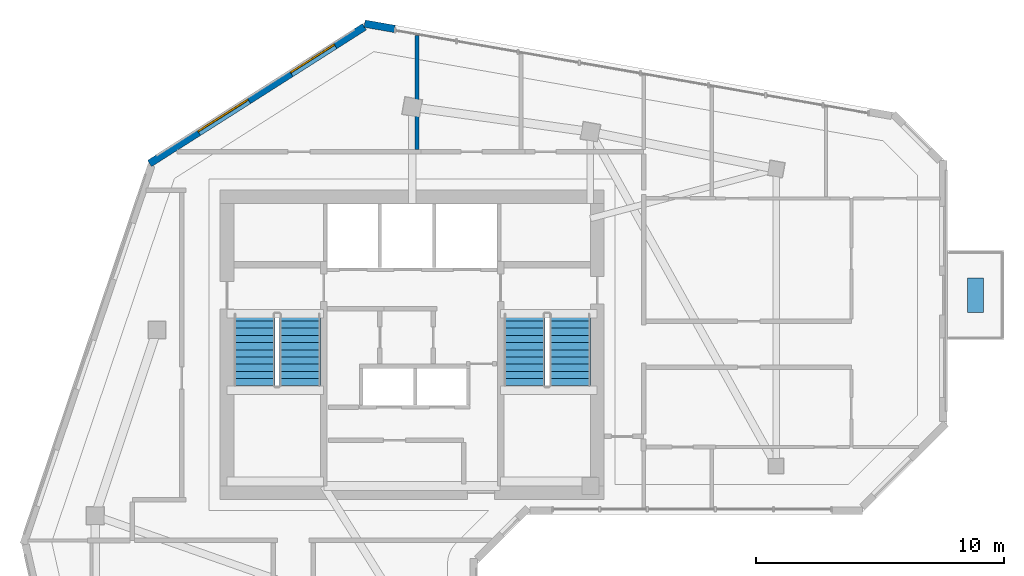
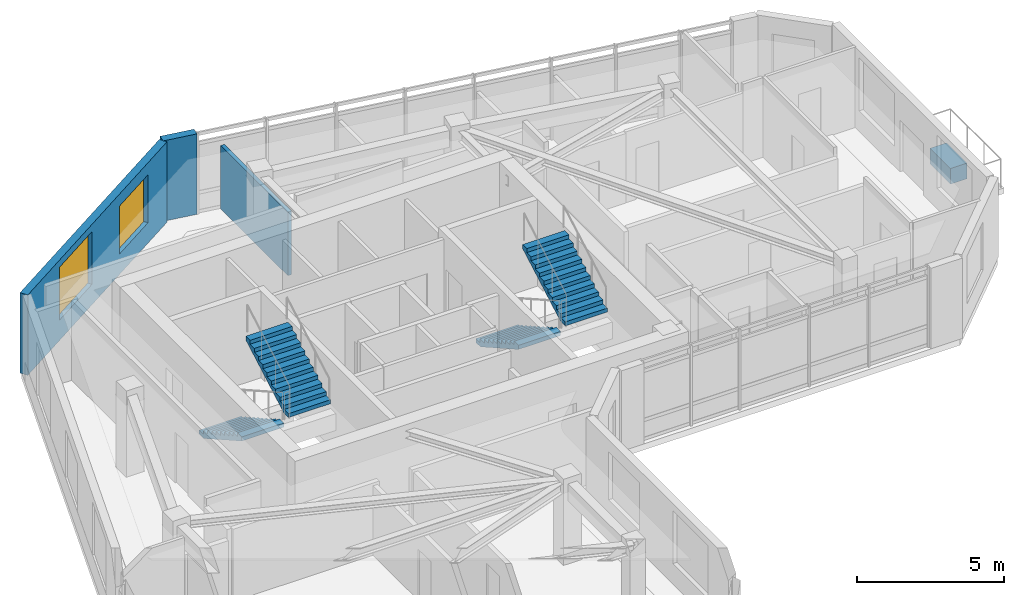
# One storey, part 7 of 10: 4 stair flights, 3 walls, 2 windows, 1 discrete accessory, 2 openings, 2 elements without a shape of their own.
"""IFC4 building model written with IfcOpenShell, lengths in metres."""

from ifc_helpers import new_model, si_unit, direction, frame, frame_2d, origin, origin_2d, place, context, subcontext, project, spatial, polyline, rectangle, outline, extrude, source, transform, mapped, material, layer, layer_set, type_object, element, fill, aggregate, save


model = new_model("IFC4")

# Units and contexts
model_context = context("Model", 3, precision=1e-05, world=origin(), true_north=direction((0.0, 1.0)))
body_context = subcontext(model_context, "Body", "Model", "MODEL_VIEW")
ifc_project = project(units=[si_unit("LENGTHUNIT", "METRE"), si_unit("AREAUNIT", "SQUARE_METRE"), si_unit("VOLUMEUNIT", "CUBIC_METRE"), si_unit("PLANEANGLEUNIT", "RADIAN"), si_unit("MASSUNIT", "GRAM", prefix="KILO")], contexts=[model_context])

# Site, building, storey
site_placement = place(None, origin())
site = spatial("IfcSite", under=ifc_project, at=site_placement, CompositionType="ELEMENT")
building_placement = place(site_placement, origin())
building = spatial("IfcBuilding", under=site, at=building_placement, Name="Calvemar Wedge Station Tower", CompositionType="ELEMENT")
storey_placement = place(building_placement, frame((0.0, 0.0, 267.300048828125)))
storey = spatial("IfcBuildingStorey", under=building, at=storey_placement, Name="L68", CompositionType="ELEMENT", Elevation=267.300048828125)

# Wall
ifc_material_1 = material(Name="Precast concrete C45", Category="concrete")
ifc_layer_1 = layer(ifc_material_1, 0.300048828125)
ifc_layer_set_1 = layer_set([ifc_layer_1], Name="Precast concrete C45")
wall_type_1 = type_object("IfcWallType", Name="W-EXT-GFRC-300", PredefinedType="SOLIDWALL", material=ifc_layer_set_1)
wall_1_placement = place(storey_placement, frame((23.09521484375, 52.656005859375, 0.0), z_axis=(0.0, 0.0, 1.0), x_axis=(-0.985008549623, 0.172505527937, 0.0)))
element("IfcWall", 1, at=wall_1_placement, inside=storey, type_object=wall_type_1, Name="Storey L68 Bronze GFRC Corner Pier 10B", PredefinedType="SOLIDWALL", context=body_context, shape_type="SweptSolid", body=[
    extrude(rectangle(XDim=1.22998046875, YDim=0.300048828125, at=frame_2d((0.614990234375, 0.0))), origin(), (0.0, 0.0, 1.0), 3.349853515625),
])

# Wall, openings, windows
wall_2_placement = place(storey_placement, frame((21.873779296875, 52.741943359375, 0.0), z_axis=(0.0, 0.0, 1.0), x_axis=(-0.84365659959, -0.536883173482, 0.0)))
wall_2 = element("IfcWall", 2, at=wall_2_placement, inside=storey, type_object=wall_type_1, Name="Storey L68 Bronze GFRC Exterior Wall 11", PredefinedType="SOLIDWALL", context=body_context, shape_type="SweptSolid", body=[
    extrude(rectangle(XDim=10.282958984375, YDim=0.300048828125, at=frame_2d((5.1416015625, 0.0))), origin(), (0.0, 0.0, 1.0), 3.349853515625),
])
shared_shape_1 = source(origin(), body_context, "Body", "SweptSolid", [
    extrude(rectangle(XDim=2.10009765625, YDim=2.0, at=frame_2d((1.050048828125, 1.0))), frame((0.0, 0.16015625, 0.0), z_axis=(0.0, -1.0, 0.0), x_axis=(1.0, 0.0, 0.0)), (0.0, 0.0, 1.0), 0.320068359375),
])
opening_1_placement = place(wall_2_placement, frame((1.409912109375, 0.0, 0.85009765625)))
opening_1 = element("IfcOpeningElement", 3, at=opening_1_placement, cuts=wall_2, Name="Opening W4", PredefinedType="OPENING", context=body_context, shape_type="MappedRepresentation", body=[
    mapped(shared_shape_1, transform((0.0, 0.0, 0.0), scale=1.0)),
])
shared_shape_2 = source(origin(), body_context, "Body", "SweptSolid", [
    extrude(rectangle(XDim=2.39990234375, YDim=2.199951171875, at=frame_2d((1.199951171875, 1.10009765625))), frame((0.0, 0.16015625, 0.0), z_axis=(0.0, -1.0, 0.0), x_axis=(1.0, 0.0, 0.0)), (0.0, 0.0, 1.0), 0.320068359375),
])
opening_2_placement = place(wall_2_placement, frame((5.5400390625, 0.0, 0.85009765625)))
opening_2 = element("IfcOpeningElement", 4, at=opening_2_placement, cuts=wall_2, Name="Opening W1", PredefinedType="OPENING", context=body_context, shape_type="MappedRepresentation", body=[
    mapped(shared_shape_2, transform((0.0, 0.0, 0.0), scale=1.0)),
])
ifc_material_2 = material(Name="Low-E laminated insulated glass", Category="glass")
window_type_1 = type_object("IfcWindowType", Name="WIN-EXT-4", PartitioningType="SINGLE_PANEL", PredefinedType="WINDOW", material=ifc_material_2)
shared_shape_3 = source(origin(), body_context, "Body", "SweptSolid", [
    extrude(rectangle(XDim=2.10009765625, YDim=2.0, at=frame_2d((1.050048828125, 1.0))), frame((0.0, -0.014892578125, 0.0), z_axis=(0.0, -1.0, 0.0), x_axis=(1.0, 0.0, 0.0)), (0.0, 0.0, 1.0), 0.06005859375),
])
window_1_placement = place(opening_1_placement, origin())
window_1 = element("IfcWindow", 5, at=window_1_placement, inside=storey, type_object=window_type_1, Name="Storey L68 Recessed Window 11.1", OverallHeight=2.0, OverallWidth=2.10009765625, PartitioningType="SINGLE_PANEL", PredefinedType="WINDOW", context=body_context, shape_type="MappedRepresentation", body=[
    mapped(shared_shape_3, transform((0.0, 0.0, 0.0), scale=1.0)),
])
fill(opening_1, window_1)
window_type_2 = type_object("IfcWindowType", Name="WIN-EXT-1", PartitioningType="SINGLE_PANEL", PredefinedType="WINDOW", material=ifc_material_2)
shared_shape_4 = source(origin(), body_context, "Body", "SweptSolid", [
    extrude(rectangle(XDim=2.39990234375, YDim=2.199951171875, at=frame_2d((1.199951171875, 1.10009765625))), frame((0.0, -0.014892578125, 0.0), z_axis=(0.0, -1.0, 0.0), x_axis=(1.0, 0.0, 0.0)), (0.0, 0.0, 1.0), 0.06005859375),
])
window_2_placement = place(opening_2_placement, origin())
window_2 = element("IfcWindow", 6, at=window_2_placement, inside=storey, type_object=window_type_2, Name="Storey L68 Recessed Window 11.2", OverallHeight=2.199951171875, OverallWidth=2.39990234375, PartitioningType="SINGLE_PANEL", PredefinedType="WINDOW", context=body_context, shape_type="MappedRepresentation", body=[
    mapped(shared_shape_4, transform((0.0, 0.0, 0.0), scale=1.0)),
])
fill(opening_2, window_2)

# Wall
ifc_material_3 = material(Name="Moisture-resistant acoustic bathroom partition")
ifc_layer_2 = layer(ifc_material_3, 0.14990234375)
ifc_layer_set_2 = layer_set([ifc_layer_2], Name="Moisture-resistant acoustic bathroom partition")
wall_type_2 = type_object("IfcWallType", Name="W-WET-150", PredefinedType="PARTITIONING", material=ifc_layer_set_2)
wall_3_placement = place(storey_placement, frame((24.0, 52.381103515625, 0.0), z_axis=(0.0, 0.0, 1.0), x_axis=(0.0, -1.0, 0.0)))
element("IfcWall", 7, at=wall_3_placement, inside=storey, type_object=wall_type_2, Name="Storey L68 Interior Partition WL-L68-025", PredefinedType="PARTITIONING", context=body_context, shape_type="SweptSolid", body=[
    extrude(rectangle(XDim=4.587158203125, YDim=0.14990234375, at=frame_2d((2.29345703125, 0.0))), origin(), (0.0, 0.0, 1.0), 2.641845703125),
])

# Stair, stair flights
ifc_material_4 = material(Name="Concrete C45", Category="concrete")
stair_type = type_object("IfcStairType", Name="ST-TYPE-3600", PredefinedType="HALF_TURN_STAIR", material=ifc_material_4)
stair_1_placement = place(storey_placement, origin())
stair_1 = element("IfcStair", 8, at=stair_1_placement, inside=storey, type_object=stair_type, Name="L68 Pressurized Core Exit Stair ST-C1", PredefinedType="HALF_TURN_STAIR")
stair_flight_type = type_object("IfcStairFlightType", Name="STF-TYPE-3600", PredefinedType="STRAIGHT", material=ifc_material_4)
stair_flight_1_placement = place(storey_placement, frame((17.429931640625, 41.14990234375, 0.0), z_axis=(0.0, 0.0, 1.0), x_axis=(0.0, -1.0, 0.0)))
stair_flight_1 = element("IfcStairFlight", 9, at=stair_flight_1_placement, type_object=stair_flight_type, Name="ST-C1 flight 1", NumberOfRisers=11, NumberOfTreads=10, PredefinedType="STRAIGHT", RiserHeight=0.163636364, TreadLength=0.29, context=body_context, shape_type="SweptSolid", body=[
    extrude(outline(polyline([(0.0, 0.0), (0.0, 0.16357421875), (0.2900390625, 0.16357421875), (0.2900390625, 0.327392578125), (0.580078125, 0.327392578125), (0.580078125, 0.490966796875), (0.8701171875, 0.490966796875), (0.8701171875, 0.654541015625), (1.159912109375, 0.654541015625), (1.159912109375, 0.818115234375), (1.449951171875, 0.818115234375), (1.449951171875, 0.98193359375), (1.739990234375, 0.98193359375), (1.739990234375, 1.1455078125), (2.030029296875, 1.1455078125), (2.030029296875, 1.30908203125), (2.320068359375, 1.30908203125), (2.320068359375, 1.47265625), (2.610107421875, 1.47265625), (2.610107421875, 1.636474609375), (2.89990234375, 1.636474609375), (2.89990234375, 1.800048828125), (2.89990234375, 1.46435546875), (0.304931640625, 0.0), (0.0, 0.0)])), frame((0.0, 0.830078125, 0.0), z_axis=(0.0, -1.0, 0.0), x_axis=(1.0, 0.0, 0.0)), (0.0, 0.0, 1.0), 1.659912109375),
])
stair_flight_2_placement = place(storey_placement, frame((19.27001953125, 38.25, 1.800048828125), z_axis=(0.0, 0.0, 1.0), x_axis=(0.0, 1.0, 0.0)))
stair_flight_2 = element("IfcStairFlight", 10, at=stair_flight_2_placement, type_object=stair_flight_type, Name="ST-C1 flight 2", NumberOfRisers=11, NumberOfTreads=10, PredefinedType="STRAIGHT", RiserHeight=0.163636364, TreadLength=0.29, context=body_context, shape_type="SweptSolid", body=[
    extrude(outline(polyline([(0.0, 0.0), (0.0, 0.16357421875), (0.2900390625, 0.16357421875), (0.2900390625, 0.327392578125), (0.580078125, 0.327392578125), (0.580078125, 0.490966796875), (0.8701171875, 0.490966796875), (0.8701171875, 0.654541015625), (1.159912109375, 0.654541015625), (1.159912109375, 0.818115234375), (1.449951171875, 0.818115234375), (1.449951171875, 0.98193359375), (1.739990234375, 0.98193359375), (1.739990234375, 1.1455078125), (2.030029296875, 1.1455078125), (2.030029296875, 1.30908203125), (2.320068359375, 1.30908203125), (2.320068359375, 1.47265625), (2.610107421875, 1.47265625), (2.610107421875, 1.636474609375), (2.89990234375, 1.636474609375), (2.89990234375, 1.800048828125), (2.89990234375, 1.46435546875), (0.304931640625, 0.0), (0.0, 0.0)])), frame((0.0, 0.830078125, 0.0), z_axis=(0.0, -1.0, 0.0), x_axis=(1.0, 0.0, 0.0)), (0.0, 0.0, 1.0), 1.659912109375),
])
aggregate(stair_1, [stair_flight_1, stair_flight_2])

stair_2_placement = place(storey_placement, origin())
stair_2 = element("IfcStair", 11, at=stair_2_placement, inside=storey, type_object=stair_type, Name="L68 Pressurized Core Exit Stair ST-C2", PredefinedType="HALF_TURN_STAIR")
stair_flight_3_placement = place(storey_placement, frame((28.330078125, 41.14990234375, 0.0), z_axis=(0.0, 0.0, 1.0), x_axis=(0.0, -1.0, 0.0)))
stair_flight_3 = element("IfcStairFlight", 12, at=stair_flight_3_placement, type_object=stair_flight_type, Name="ST-C2 flight 1", NumberOfRisers=11, NumberOfTreads=10, PredefinedType="STRAIGHT", RiserHeight=0.163636364, TreadLength=0.29, context=body_context, shape_type="SweptSolid", body=[
    extrude(outline(polyline([(0.0, 0.0), (0.0, 0.16357421875), (0.2900390625, 0.16357421875), (0.2900390625, 0.327392578125), (0.580078125, 0.327392578125), (0.580078125, 0.490966796875), (0.8701171875, 0.490966796875), (0.8701171875, 0.654541015625), (1.159912109375, 0.654541015625), (1.159912109375, 0.818115234375), (1.449951171875, 0.818115234375), (1.449951171875, 0.98193359375), (1.739990234375, 0.98193359375), (1.739990234375, 1.1455078125), (2.030029296875, 1.1455078125), (2.030029296875, 1.30908203125), (2.320068359375, 1.30908203125), (2.320068359375, 1.47265625), (2.610107421875, 1.47265625), (2.610107421875, 1.636474609375), (2.89990234375, 1.636474609375), (2.89990234375, 1.800048828125), (2.89990234375, 1.46435546875), (0.304931640625, 0.0), (0.0, 0.0)])), frame((0.0, 0.830078125, 0.0), z_axis=(0.0, -1.0, 0.0), x_axis=(1.0, 0.0, 0.0)), (0.0, 0.0, 1.0), 1.659912109375),
])
stair_flight_4_placement = place(storey_placement, frame((30.169921875, 38.25, 1.800048828125), z_axis=(0.0, 0.0, 1.0), x_axis=(0.0, 1.0, 0.0)))
stair_flight_4 = element("IfcStairFlight", 13, at=stair_flight_4_placement, type_object=stair_flight_type, Name="ST-C2 flight 2", NumberOfRisers=11, NumberOfTreads=10, PredefinedType="STRAIGHT", RiserHeight=0.163636364, TreadLength=0.29, context=body_context, shape_type="SweptSolid", body=[
    extrude(outline(polyline([(0.0, 0.0), (0.0, 0.16357421875), (0.2900390625, 0.16357421875), (0.2900390625, 0.327392578125), (0.580078125, 0.327392578125), (0.580078125, 0.490966796875), (0.8701171875, 0.490966796875), (0.8701171875, 0.654541015625), (1.159912109375, 0.654541015625), (1.159912109375, 0.818115234375), (1.449951171875, 0.818115234375), (1.449951171875, 0.98193359375), (1.739990234375, 0.98193359375), (1.739990234375, 1.1455078125), (2.030029296875, 1.1455078125), (2.030029296875, 1.30908203125), (2.320068359375, 1.30908203125), (2.320068359375, 1.47265625), (2.610107421875, 1.47265625), (2.610107421875, 1.636474609375), (2.89990234375, 1.636474609375), (2.89990234375, 1.800048828125), (2.89990234375, 1.46435546875), (0.304931640625, 0.0), (0.0, 0.0)])), frame((0.0, 0.830078125, 0.0), z_axis=(0.0, -1.0, 0.0), x_axis=(1.0, 0.0, 0.0)), (0.0, 0.0, 1.0), 1.659912109375),
])
aggregate(stair_2, [stair_flight_3, stair_flight_4])

# Discrete accessory
discrete_accessory_type = type_object("IfcDiscreteAccessoryType", Name="ACC-PLANTER", PredefinedType="USERDEFINED", material=ifc_material_1)
shared_shape_5 = source(origin(), body_context, "Body", "SweptSolid", [
    extrude(rectangle(XDim=0.64990234375, YDim=1.39990234375, at=origin_2d()), origin(), (0.0, 0.0, 1.0), 0.64990234375),
])
discrete_accessory_placement = place(storey_placement, frame((46.550048828125, 41.906005859375, 0.0), z_axis=(0.0, 0.0, 1.0), x_axis=(1.0, 0.0, 0.0)))
element("IfcDiscreteAccessory", 14, at=discrete_accessory_placement, inside=storey, type_object=discrete_accessory_type, Name="Storey L68 Planted Terrace GFRC Planter", ObjectType="PLANTER", PredefinedType="USERDEFINED", context=body_context, shape_type="MappedRepresentation", body=[
    mapped(shared_shape_5, transform((0.0, 0.0, 0.0), scale=1.0)),
])

save(model, "model.ifc")
